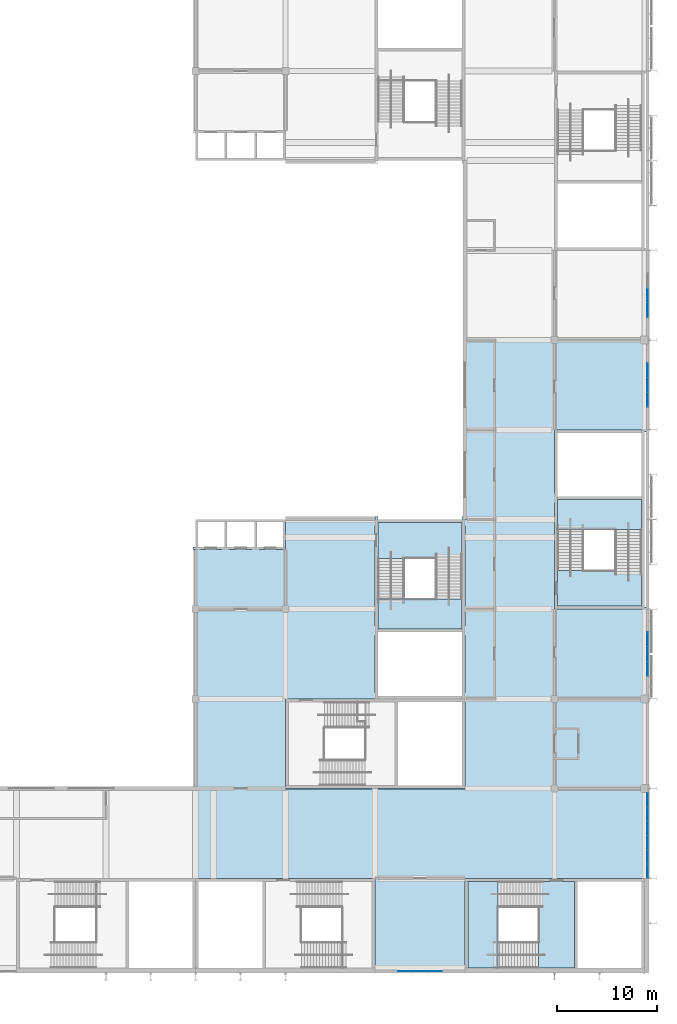
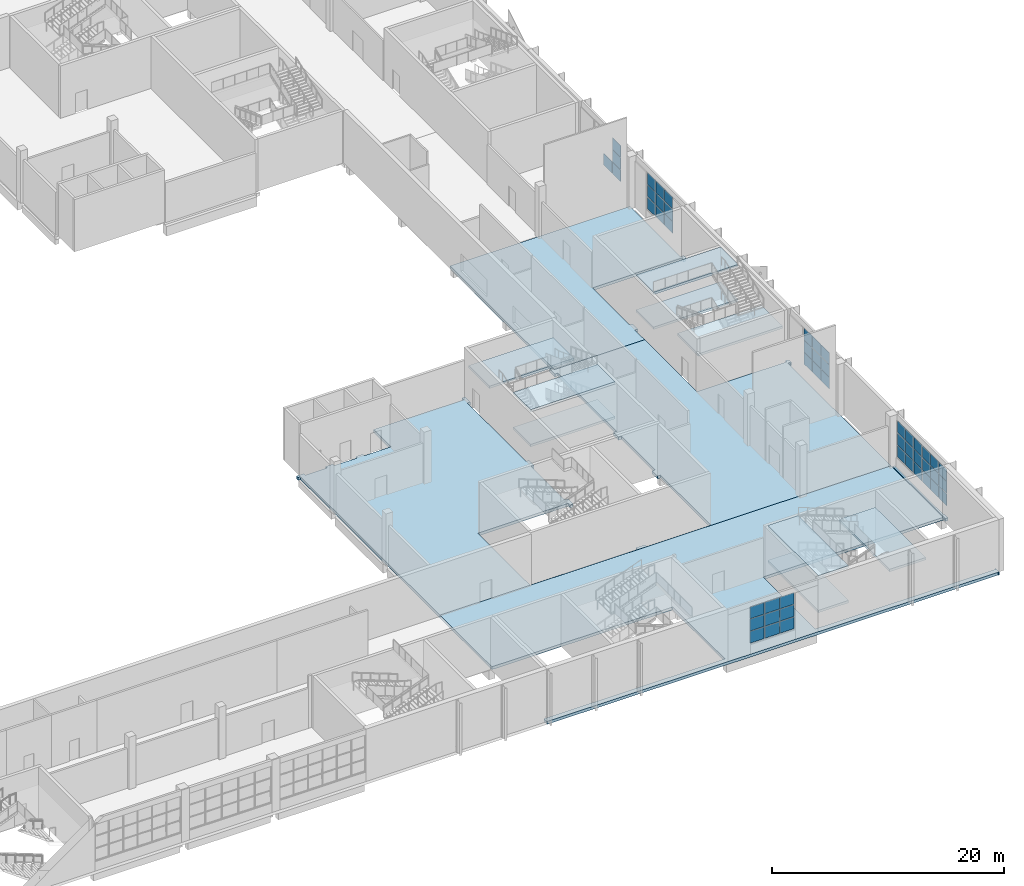
# One storey, part 30 of 84: 49 plates, 12 slabs, 8 elements without a shape of their own.
"""IFC4 building model written with IfcOpenShell, lengths in metres."""

from ifc_helpers import new_model, si_unit, direction, frame, origin, origin_2d, place, context, subcontext, project, spatial, polyline, rectangle, outline, extrude, material, layer, layer_set, type_object, element, aggregate, save


model = new_model("IFC4")

# Units and contexts
model_context = context("Model", 3, precision=1e-05, world=origin(), true_north=direction((0.0, 1.0)))
body_context = subcontext(model_context, "Body", "Model", "MODEL_VIEW")
ifc_project = project(units=[si_unit("LENGTHUNIT", "METRE"), si_unit("AREAUNIT", "SQUARE_METRE"), si_unit("VOLUMEUNIT", "CUBIC_METRE"), si_unit("PLANEANGLEUNIT", "RADIAN"), si_unit("MASSUNIT", "GRAM", prefix="KILO")], contexts=[model_context])

# Site, building, storey
site_placement = place(None, origin())
site = spatial("IfcSite", under=ifc_project, at=site_placement, CompositionType="ELEMENT")
building_placement = place(site_placement, origin())
building = spatial("IfcBuilding", under=site, at=building_placement, Name="Silverbay Arena", CompositionType="ELEMENT")
storey_placement = place(building_placement, frame((0.0, 0.0, 28.0)))
storey = spatial("IfcBuildingStorey", under=building, at=storey_placement, Name="L04", CompositionType="ELEMENT", Elevation=28.0)

# Curtain wall, plates
ifc_material_1 = material(Name="Aluminium framed curtain wall", Category="aluminium")
curtain_wall_type_1 = type_object("IfcCurtainWallType", Name="Curtain wall 4500 x 3900", PredefinedType="NOTDEFINED", material=ifc_material_1)
curtain_wall_1_placement = place(storey_placement, origin())
curtain_wall_1 = element("IfcCurtainWall", 1, at=curtain_wall_1_placement, inside=storey, type_object=curtain_wall_type_1, Name="South curtain wall L04 bay 15", PredefinedType="NOTDEFINED")
ifc_material_2 = material(Name="Laminated glass", Category="glass")
ifc_layer_1 = layer(ifc_material_2, 0.028076171875)
ifc_layer_set_1 = layer_set([ifc_layer_1], Name="Laminated glass")
plate_type = type_object("IfcPlateType", Name="Glass panel 28", PredefinedType="CURTAIN_PANEL", material=ifc_layer_set_1)
plate_1_placement = place(storey_placement, frame((183.014892578125, 17.669921875, 1.050048828125), z_axis=(0.0, 0.0, 1.0), x_axis=(1.0, 0.0, 0.0)))
plate_1 = element("IfcPlate", 2, at=plate_1_placement, type_object=plate_type, Name="CW15 panel 1.1", PredefinedType="CURTAIN_PANEL", context=body_context, shape_type="SweptSolid", body=[
    extrude(rectangle(XDim=1.409912109375, YDim=0.028076171875, at=origin_2d()), origin(), (0.0, 0.0, 1.0), 1.22509765625),
])
plate_2_placement = place(storey_placement, frame((183.014892578125, 17.669921875, 2.324951171875), z_axis=(0.0, 0.0, 1.0), x_axis=(1.0, 0.0, 0.0)))
plate_2 = element("IfcPlate", 3, at=plate_2_placement, type_object=plate_type, Name="CW15 panel 1.2", PredefinedType="CURTAIN_PANEL", context=body_context, shape_type="SweptSolid", body=[
    extrude(rectangle(XDim=1.409912109375, YDim=0.028076171875, at=origin_2d()), origin(), (0.0, 0.0, 1.0), 1.25),
])
plate_3_placement = place(storey_placement, frame((183.014892578125, 17.669921875, 3.625), z_axis=(0.0, 0.0, 1.0), x_axis=(1.0, 0.0, 0.0)))
plate_3 = element("IfcPlate", 4, at=plate_3_placement, type_object=plate_type, Name="CW15 panel 1.3", PredefinedType="CURTAIN_PANEL", context=body_context, shape_type="SweptSolid", body=[
    extrude(rectangle(XDim=1.409912109375, YDim=0.028076171875, at=origin_2d()), origin(), (0.0, 0.0, 1.0), 1.22509765625),
])
plate_4_placement = place(storey_placement, frame((184.5, 17.669921875, 1.050048828125), z_axis=(0.0, 0.0, 1.0), x_axis=(1.0, 0.0, 0.0)))
plate_4 = element("IfcPlate", 5, at=plate_4_placement, type_object=plate_type, Name="CW15 panel 2.1", PredefinedType="CURTAIN_PANEL", context=body_context, shape_type="SweptSolid", body=[
    extrude(rectangle(XDim=1.43994140625, YDim=0.028076171875, at=origin_2d()), origin(), (0.0, 0.0, 1.0), 1.22509765625),
])
plate_5_placement = place(storey_placement, frame((184.5, 17.669921875, 2.324951171875), z_axis=(0.0, 0.0, 1.0), x_axis=(1.0, 0.0, 0.0)))
plate_5 = element("IfcPlate", 6, at=plate_5_placement, type_object=plate_type, Name="CW15 panel 2.2", PredefinedType="CURTAIN_PANEL", context=body_context, shape_type="SweptSolid", body=[
    extrude(rectangle(XDim=1.43994140625, YDim=0.028076171875, at=origin_2d()), origin(), (0.0, 0.0, 1.0), 1.25),
])
plate_6_placement = place(storey_placement, frame((184.5, 17.669921875, 3.625), z_axis=(0.0, 0.0, 1.0), x_axis=(1.0, 0.0, 0.0)))
plate_6 = element("IfcPlate", 7, at=plate_6_placement, type_object=plate_type, Name="CW15 panel 2.3", PredefinedType="CURTAIN_PANEL", context=body_context, shape_type="SweptSolid", body=[
    extrude(rectangle(XDim=1.43994140625, YDim=0.028076171875, at=origin_2d()), origin(), (0.0, 0.0, 1.0), 1.22509765625),
])
plate_7_placement = place(storey_placement, frame((185.985107421875, 17.669921875, 1.050048828125), z_axis=(0.0, 0.0, 1.0), x_axis=(1.0, 0.0, 0.0)))
plate_7 = element("IfcPlate", 8, at=plate_7_placement, type_object=plate_type, Name="CW15 panel 3.1", PredefinedType="CURTAIN_PANEL", context=body_context, shape_type="SweptSolid", body=[
    extrude(rectangle(XDim=1.409912109375, YDim=0.028076171875, at=origin_2d()), origin(), (0.0, 0.0, 1.0), 1.22509765625),
])
plate_8_placement = place(storey_placement, frame((185.985107421875, 17.669921875, 2.324951171875), z_axis=(0.0, 0.0, 1.0), x_axis=(1.0, 0.0, 0.0)))
plate_8 = element("IfcPlate", 9, at=plate_8_placement, type_object=plate_type, Name="CW15 panel 3.2", PredefinedType="CURTAIN_PANEL", context=body_context, shape_type="SweptSolid", body=[
    extrude(rectangle(XDim=1.409912109375, YDim=0.028076171875, at=origin_2d()), origin(), (0.0, 0.0, 1.0), 1.25),
])
plate_9_placement = place(storey_placement, frame((185.985107421875, 17.669921875, 3.625), z_axis=(0.0, 0.0, 1.0), x_axis=(1.0, 0.0, 0.0)))
plate_9 = element("IfcPlate", 10, at=plate_9_placement, type_object=plate_type, Name="CW15 panel 3.3", PredefinedType="CURTAIN_PANEL", context=body_context, shape_type="SweptSolid", body=[
    extrude(rectangle(XDim=1.409912109375, YDim=0.028076171875, at=origin_2d()), origin(), (0.0, 0.0, 1.0), 1.22509765625),
])
aggregate(curtain_wall_1, [plate_1, plate_2, plate_3, plate_4, plate_5, plate_6, plate_7, plate_8, plate_9])

ifc_material_3 = material(Name="Aluminium framed curtain wall", Category="aluminium")
curtain_wall_type_2 = type_object("IfcCurtainWallType", Name="Curtain wall 8600 x 3900", PredefinedType="NOTDEFINED", material=ifc_material_3)
curtain_wall_2_placement = place(storey_placement, origin())
curtain_wall_2 = element("IfcCurtainWall", 11, at=curtain_wall_2_placement, inside=storey, type_object=curtain_wall_type_2, Name="East curtain wall L04 bay 2", PredefinedType="NOTDEFINED")
plate_10_placement = place(storey_placement, frame((207.330078125, 27.731689453125, 1.050048828125), z_axis=(0.0, 0.0, 1.0), x_axis=(0.0, 1.0, 0.0)))
plate_10 = element("IfcPlate", 12, at=plate_10_placement, type_object=plate_type, Name="CW1 panel 1.1", PredefinedType="CURTAIN_PANEL", context=body_context, shape_type="SweptSolid", body=[
    extrude(rectangle(XDim=1.34326171875, YDim=0.028076171875, at=origin_2d()), origin(), (0.0, 0.0, 1.0), 1.22509765625),
])
plate_11_placement = place(storey_placement, frame((207.330078125, 27.731689453125, 2.324951171875), z_axis=(0.0, 0.0, 1.0), x_axis=(0.0, 1.0, 0.0)))
plate_11 = element("IfcPlate", 13, at=plate_11_placement, type_object=plate_type, Name="CW1 panel 1.2", PredefinedType="CURTAIN_PANEL", context=body_context, shape_type="SweptSolid", body=[
    extrude(rectangle(XDim=1.34326171875, YDim=0.028076171875, at=origin_2d()), origin(), (0.0, 0.0, 1.0), 1.25),
])
plate_12_placement = place(storey_placement, frame((207.330078125, 27.731689453125, 3.625), z_axis=(0.0, 0.0, 1.0), x_axis=(0.0, 1.0, 0.0)))
plate_12 = element("IfcPlate", 14, at=plate_12_placement, type_object=plate_type, Name="CW1 panel 1.3", PredefinedType="CURTAIN_PANEL", context=body_context, shape_type="SweptSolid", body=[
    extrude(rectangle(XDim=1.34326171875, YDim=0.028076171875, at=origin_2d()), origin(), (0.0, 0.0, 1.0), 1.22509765625),
])
plate_13_placement = place(storey_placement, frame((207.330078125, 29.14990234375, 1.050048828125), z_axis=(0.0, 0.0, 1.0), x_axis=(0.0, 1.0, 0.0)))
plate_13 = element("IfcPlate", 15, at=plate_13_placement, type_object=plate_type, Name="CW1 panel 2.1", PredefinedType="CURTAIN_PANEL", context=body_context, shape_type="SweptSolid", body=[
    extrude(rectangle(XDim=1.373291015625, YDim=0.028076171875, at=origin_2d()), origin(), (0.0, 0.0, 1.0), 1.22509765625),
])
plate_14_placement = place(storey_placement, frame((207.330078125, 29.14990234375, 2.324951171875), z_axis=(0.0, 0.0, 1.0), x_axis=(0.0, 1.0, 0.0)))
plate_14 = element("IfcPlate", 16, at=plate_14_placement, type_object=plate_type, Name="CW1 panel 2.2", PredefinedType="CURTAIN_PANEL", context=body_context, shape_type="SweptSolid", body=[
    extrude(rectangle(XDim=1.373291015625, YDim=0.028076171875, at=origin_2d()), origin(), (0.0, 0.0, 1.0), 1.25),
])
plate_15_placement = place(storey_placement, frame((207.330078125, 29.14990234375, 3.625), z_axis=(0.0, 0.0, 1.0), x_axis=(0.0, 1.0, 0.0)))
plate_15 = element("IfcPlate", 17, at=plate_15_placement, type_object=plate_type, Name="CW1 panel 2.3", PredefinedType="CURTAIN_PANEL", context=body_context, shape_type="SweptSolid", body=[
    extrude(rectangle(XDim=1.373291015625, YDim=0.028076171875, at=origin_2d()), origin(), (0.0, 0.0, 1.0), 1.22509765625),
])
plate_16_placement = place(storey_placement, frame((207.330078125, 30.583251953125, 1.050048828125), z_axis=(0.0, 0.0, 1.0), x_axis=(0.0, 1.0, 0.0)))
plate_16 = element("IfcPlate", 18, at=plate_16_placement, type_object=plate_type, Name="CW1 panel 3.1", PredefinedType="CURTAIN_PANEL", context=body_context, shape_type="SweptSolid", body=[
    extrude(rectangle(XDim=1.373291015625, YDim=0.028076171875, at=origin_2d()), origin(), (0.0, 0.0, 1.0), 1.22509765625),
])
plate_17_placement = place(storey_placement, frame((207.330078125, 30.583251953125, 2.324951171875), z_axis=(0.0, 0.0, 1.0), x_axis=(0.0, 1.0, 0.0)))
plate_17 = element("IfcPlate", 19, at=plate_17_placement, type_object=plate_type, Name="CW1 panel 3.2", PredefinedType="CURTAIN_PANEL", context=body_context, shape_type="SweptSolid", body=[
    extrude(rectangle(XDim=1.373291015625, YDim=0.028076171875, at=origin_2d()), origin(), (0.0, 0.0, 1.0), 1.25),
])
plate_18_placement = place(storey_placement, frame((207.330078125, 30.583251953125, 3.625), z_axis=(0.0, 0.0, 1.0), x_axis=(0.0, 1.0, 0.0)))
plate_18 = element("IfcPlate", 20, at=plate_18_placement, type_object=plate_type, Name="CW1 panel 3.3", PredefinedType="CURTAIN_PANEL", context=body_context, shape_type="SweptSolid", body=[
    extrude(rectangle(XDim=1.373291015625, YDim=0.028076171875, at=origin_2d()), origin(), (0.0, 0.0, 1.0), 1.22509765625),
])
plate_19_placement = place(storey_placement, frame((207.330078125, 32.0166015625, 1.050048828125), z_axis=(0.0, 0.0, 1.0), x_axis=(0.0, 1.0, 0.0)))
plate_19 = element("IfcPlate", 21, at=plate_19_placement, type_object=plate_type, Name="CW1 panel 4.1", PredefinedType="CURTAIN_PANEL", context=body_context, shape_type="SweptSolid", body=[
    extrude(rectangle(XDim=1.373291015625, YDim=0.028076171875, at=origin_2d()), origin(), (0.0, 0.0, 1.0), 1.22509765625),
])
plate_20_placement = place(storey_placement, frame((207.330078125, 32.0166015625, 2.324951171875), z_axis=(0.0, 0.0, 1.0), x_axis=(0.0, 1.0, 0.0)))
plate_20 = element("IfcPlate", 22, at=plate_20_placement, type_object=plate_type, Name="CW1 panel 4.2", PredefinedType="CURTAIN_PANEL", context=body_context, shape_type="SweptSolid", body=[
    extrude(rectangle(XDim=1.373291015625, YDim=0.028076171875, at=origin_2d()), origin(), (0.0, 0.0, 1.0), 1.25),
])
plate_21_placement = place(storey_placement, frame((207.330078125, 32.0166015625, 3.625), z_axis=(0.0, 0.0, 1.0), x_axis=(0.0, 1.0, 0.0)))
plate_21 = element("IfcPlate", 23, at=plate_21_placement, type_object=plate_type, Name="CW1 panel 4.3", PredefinedType="CURTAIN_PANEL", context=body_context, shape_type="SweptSolid", body=[
    extrude(rectangle(XDim=1.373291015625, YDim=0.028076171875, at=origin_2d()), origin(), (0.0, 0.0, 1.0), 1.22509765625),
])
plate_22_placement = place(storey_placement, frame((207.330078125, 33.449951171875, 1.050048828125), z_axis=(0.0, 0.0, 1.0), x_axis=(0.0, 1.0, 0.0)))
plate_22 = element("IfcPlate", 24, at=plate_22_placement, type_object=plate_type, Name="CW1 panel 5.1", PredefinedType="CURTAIN_PANEL", context=body_context, shape_type="SweptSolid", body=[
    extrude(rectangle(XDim=1.373291015625, YDim=0.028076171875, at=origin_2d()), origin(), (0.0, 0.0, 1.0), 1.22509765625),
])
plate_23_placement = place(storey_placement, frame((207.330078125, 33.449951171875, 2.324951171875), z_axis=(0.0, 0.0, 1.0), x_axis=(0.0, 1.0, 0.0)))
plate_23 = element("IfcPlate", 25, at=plate_23_placement, type_object=plate_type, Name="CW1 panel 5.2", PredefinedType="CURTAIN_PANEL", context=body_context, shape_type="SweptSolid", body=[
    extrude(rectangle(XDim=1.373291015625, YDim=0.028076171875, at=origin_2d()), origin(), (0.0, 0.0, 1.0), 1.25),
])
plate_24_placement = place(storey_placement, frame((207.330078125, 33.449951171875, 3.625), z_axis=(0.0, 0.0, 1.0), x_axis=(0.0, 1.0, 0.0)))
plate_24 = element("IfcPlate", 26, at=plate_24_placement, type_object=plate_type, Name="CW1 panel 5.3", PredefinedType="CURTAIN_PANEL", context=body_context, shape_type="SweptSolid", body=[
    extrude(rectangle(XDim=1.373291015625, YDim=0.028076171875, at=origin_2d()), origin(), (0.0, 0.0, 1.0), 1.22509765625),
])
plate_25_placement = place(storey_placement, frame((207.330078125, 34.868408203125, 1.050048828125), z_axis=(0.0, 0.0, 1.0), x_axis=(0.0, 1.0, 0.0)))
plate_25 = element("IfcPlate", 27, at=plate_25_placement, type_object=plate_type, Name="CW1 panel 6.1", PredefinedType="CURTAIN_PANEL", context=body_context, shape_type="SweptSolid", body=[
    extrude(rectangle(XDim=1.34326171875, YDim=0.028076171875, at=origin_2d()), origin(), (0.0, 0.0, 1.0), 1.22509765625),
])
plate_26_placement = place(storey_placement, frame((207.330078125, 34.868408203125, 2.324951171875), z_axis=(0.0, 0.0, 1.0), x_axis=(0.0, 1.0, 0.0)))
plate_26 = element("IfcPlate", 28, at=plate_26_placement, type_object=plate_type, Name="CW1 panel 6.2", PredefinedType="CURTAIN_PANEL", context=body_context, shape_type="SweptSolid", body=[
    extrude(rectangle(XDim=1.34326171875, YDim=0.028076171875, at=origin_2d()), origin(), (0.0, 0.0, 1.0), 1.25),
])
plate_27_placement = place(storey_placement, frame((207.330078125, 34.868408203125, 3.625), z_axis=(0.0, 0.0, 1.0), x_axis=(0.0, 1.0, 0.0)))
plate_27 = element("IfcPlate", 29, at=plate_27_placement, type_object=plate_type, Name="CW1 panel 6.3", PredefinedType="CURTAIN_PANEL", context=body_context, shape_type="SweptSolid", body=[
    extrude(rectangle(XDim=1.34326171875, YDim=0.028076171875, at=origin_2d()), origin(), (0.0, 0.0, 1.0), 1.22509765625),
])
aggregate(curtain_wall_2, [plate_10, plate_11, plate_12, plate_13, plate_14, plate_15, plate_16, plate_17, plate_18, plate_19, plate_20, plate_21, plate_22, plate_23, plate_24, plate_25, plate_26, plate_27])

curtain_wall_3_placement = place(storey_placement, origin())
curtain_wall_3 = element("IfcCurtainWall", 30, at=curtain_wall_3_placement, inside=storey, type_object=curtain_wall_type_1, Name="East curtain wall L04 bay 4", PredefinedType="NOTDEFINED")
plate_28_placement = place(storey_placement, frame((207.330078125, 48.014892578125, 1.050048828125), z_axis=(0.0, 0.0, 1.0), x_axis=(0.0, 1.0, 0.0)))
plate_28 = element("IfcPlate", 31, at=plate_28_placement, type_object=plate_type, Name="CW15 panel 1.1", PredefinedType="CURTAIN_PANEL", context=body_context, shape_type="SweptSolid", body=[
    extrude(rectangle(XDim=1.409912109375, YDim=0.028076171875, at=origin_2d()), origin(), (0.0, 0.0, 1.0), 1.22509765625),
])
plate_29_placement = place(storey_placement, frame((207.330078125, 48.014892578125, 2.324951171875), z_axis=(0.0, 0.0, 1.0), x_axis=(0.0, 1.0, 0.0)))
plate_29 = element("IfcPlate", 32, at=plate_29_placement, type_object=plate_type, Name="CW15 panel 1.2", PredefinedType="CURTAIN_PANEL", context=body_context, shape_type="SweptSolid", body=[
    extrude(rectangle(XDim=1.409912109375, YDim=0.028076171875, at=origin_2d()), origin(), (0.0, 0.0, 1.0), 1.25),
])
plate_30_placement = place(storey_placement, frame((207.330078125, 48.014892578125, 3.625), z_axis=(0.0, 0.0, 1.0), x_axis=(0.0, 1.0, 0.0)))
plate_30 = element("IfcPlate", 33, at=plate_30_placement, type_object=plate_type, Name="CW15 panel 1.3", PredefinedType="CURTAIN_PANEL", context=body_context, shape_type="SweptSolid", body=[
    extrude(rectangle(XDim=1.409912109375, YDim=0.028076171875, at=origin_2d()), origin(), (0.0, 0.0, 1.0), 1.22509765625),
])
plate_31_placement = place(storey_placement, frame((207.330078125, 49.5, 1.050048828125), z_axis=(0.0, 0.0, 1.0), x_axis=(0.0, 1.0, 0.0)))
plate_31 = element("IfcPlate", 34, at=plate_31_placement, type_object=plate_type, Name="CW15 panel 2.1", PredefinedType="CURTAIN_PANEL", context=body_context, shape_type="SweptSolid", body=[
    extrude(rectangle(XDim=1.43994140625, YDim=0.028076171875, at=origin_2d()), origin(), (0.0, 0.0, 1.0), 1.22509765625),
])
plate_32_placement = place(storey_placement, frame((207.330078125, 49.5, 2.324951171875), z_axis=(0.0, 0.0, 1.0), x_axis=(0.0, 1.0, 0.0)))
plate_32 = element("IfcPlate", 35, at=plate_32_placement, type_object=plate_type, Name="CW15 panel 2.2", PredefinedType="CURTAIN_PANEL", context=body_context, shape_type="SweptSolid", body=[
    extrude(rectangle(XDim=1.43994140625, YDim=0.028076171875, at=origin_2d()), origin(), (0.0, 0.0, 1.0), 1.25),
])
plate_33_placement = place(storey_placement, frame((207.330078125, 49.5, 3.625), z_axis=(0.0, 0.0, 1.0), x_axis=(0.0, 1.0, 0.0)))
plate_33 = element("IfcPlate", 36, at=plate_33_placement, type_object=plate_type, Name="CW15 panel 2.3", PredefinedType="CURTAIN_PANEL", context=body_context, shape_type="SweptSolid", body=[
    extrude(rectangle(XDim=1.43994140625, YDim=0.028076171875, at=origin_2d()), origin(), (0.0, 0.0, 1.0), 1.22509765625),
])
plate_34_placement = place(storey_placement, frame((207.330078125, 50.985107421875, 1.050048828125), z_axis=(0.0, 0.0, 1.0), x_axis=(0.0, 1.0, 0.0)))
plate_34 = element("IfcPlate", 37, at=plate_34_placement, type_object=plate_type, Name="CW15 panel 3.1", PredefinedType="CURTAIN_PANEL", context=body_context, shape_type="SweptSolid", body=[
    extrude(rectangle(XDim=1.409912109375, YDim=0.028076171875, at=origin_2d()), origin(), (0.0, 0.0, 1.0), 1.22509765625),
])
plate_35_placement = place(storey_placement, frame((207.330078125, 50.985107421875, 2.324951171875), z_axis=(0.0, 0.0, 1.0), x_axis=(0.0, 1.0, 0.0)))
plate_35 = element("IfcPlate", 38, at=plate_35_placement, type_object=plate_type, Name="CW15 panel 3.2", PredefinedType="CURTAIN_PANEL", context=body_context, shape_type="SweptSolid", body=[
    extrude(rectangle(XDim=1.409912109375, YDim=0.028076171875, at=origin_2d()), origin(), (0.0, 0.0, 1.0), 1.25),
])
plate_36_placement = place(storey_placement, frame((207.330078125, 50.985107421875, 3.625), z_axis=(0.0, 0.0, 1.0), x_axis=(0.0, 1.0, 0.0)))
plate_36 = element("IfcPlate", 39, at=plate_36_placement, type_object=plate_type, Name="CW15 panel 3.3", PredefinedType="CURTAIN_PANEL", context=body_context, shape_type="SweptSolid", body=[
    extrude(rectangle(XDim=1.409912109375, YDim=0.028076171875, at=origin_2d()), origin(), (0.0, 0.0, 1.0), 1.22509765625),
])
aggregate(curtain_wall_3, [plate_28, plate_29, plate_30, plate_31, plate_32, plate_33, plate_34, plate_35, plate_36])

curtain_wall_4_placement = place(storey_placement, origin())
curtain_wall_4 = element("IfcCurtainWall", 40, at=curtain_wall_4_placement, inside=storey, type_object=curtain_wall_type_1, Name="East curtain wall L04 bay 7", PredefinedType="NOTDEFINED")
plate_37_placement = place(storey_placement, frame((207.330078125, 75.014892578125, 1.050048828125), z_axis=(0.0, 0.0, 1.0), x_axis=(0.0, 1.0, 0.0)))
plate_37 = element("IfcPlate", 41, at=plate_37_placement, type_object=plate_type, Name="CW15 panel 1.1", PredefinedType="CURTAIN_PANEL", context=body_context, shape_type="SweptSolid", body=[
    extrude(rectangle(XDim=1.409912109375, YDim=0.028076171875, at=origin_2d()), origin(), (0.0, 0.0, 1.0), 1.22509765625),
])
plate_38_placement = place(storey_placement, frame((207.330078125, 75.014892578125, 2.324951171875), z_axis=(0.0, 0.0, 1.0), x_axis=(0.0, 1.0, 0.0)))
plate_38 = element("IfcPlate", 42, at=plate_38_placement, type_object=plate_type, Name="CW15 panel 1.2", PredefinedType="CURTAIN_PANEL", context=body_context, shape_type="SweptSolid", body=[
    extrude(rectangle(XDim=1.409912109375, YDim=0.028076171875, at=origin_2d()), origin(), (0.0, 0.0, 1.0), 1.25),
])
plate_39_placement = place(storey_placement, frame((207.330078125, 75.014892578125, 3.625), z_axis=(0.0, 0.0, 1.0), x_axis=(0.0, 1.0, 0.0)))
plate_39 = element("IfcPlate", 43, at=plate_39_placement, type_object=plate_type, Name="CW15 panel 1.3", PredefinedType="CURTAIN_PANEL", context=body_context, shape_type="SweptSolid", body=[
    extrude(rectangle(XDim=1.409912109375, YDim=0.028076171875, at=origin_2d()), origin(), (0.0, 0.0, 1.0), 1.22509765625),
])
plate_40_placement = place(storey_placement, frame((207.330078125, 76.5, 1.050048828125), z_axis=(0.0, 0.0, 1.0), x_axis=(0.0, 1.0, 0.0)))
plate_40 = element("IfcPlate", 44, at=plate_40_placement, type_object=plate_type, Name="CW15 panel 2.1", PredefinedType="CURTAIN_PANEL", context=body_context, shape_type="SweptSolid", body=[
    extrude(rectangle(XDim=1.43994140625, YDim=0.028076171875, at=origin_2d()), origin(), (0.0, 0.0, 1.0), 1.22509765625),
])
plate_41_placement = place(storey_placement, frame((207.330078125, 76.5, 2.324951171875), z_axis=(0.0, 0.0, 1.0), x_axis=(0.0, 1.0, 0.0)))
plate_41 = element("IfcPlate", 45, at=plate_41_placement, type_object=plate_type, Name="CW15 panel 2.2", PredefinedType="CURTAIN_PANEL", context=body_context, shape_type="SweptSolid", body=[
    extrude(rectangle(XDim=1.43994140625, YDim=0.028076171875, at=origin_2d()), origin(), (0.0, 0.0, 1.0), 1.25),
])
plate_42_placement = place(storey_placement, frame((207.330078125, 76.5, 3.625), z_axis=(0.0, 0.0, 1.0), x_axis=(0.0, 1.0, 0.0)))
plate_42 = element("IfcPlate", 46, at=plate_42_placement, type_object=plate_type, Name="CW15 panel 2.3", PredefinedType="CURTAIN_PANEL", context=body_context, shape_type="SweptSolid", body=[
    extrude(rectangle(XDim=1.43994140625, YDim=0.028076171875, at=origin_2d()), origin(), (0.0, 0.0, 1.0), 1.22509765625),
])
plate_43_placement = place(storey_placement, frame((207.330078125, 77.985107421875, 1.050048828125), z_axis=(0.0, 0.0, 1.0), x_axis=(0.0, 1.0, 0.0)))
plate_43 = element("IfcPlate", 47, at=plate_43_placement, type_object=plate_type, Name="CW15 panel 3.1", PredefinedType="CURTAIN_PANEL", context=body_context, shape_type="SweptSolid", body=[
    extrude(rectangle(XDim=1.409912109375, YDim=0.028076171875, at=origin_2d()), origin(), (0.0, 0.0, 1.0), 1.22509765625),
])
plate_44_placement = place(storey_placement, frame((207.330078125, 77.985107421875, 2.324951171875), z_axis=(0.0, 0.0, 1.0), x_axis=(0.0, 1.0, 0.0)))
plate_44 = element("IfcPlate", 48, at=plate_44_placement, type_object=plate_type, Name="CW15 panel 3.2", PredefinedType="CURTAIN_PANEL", context=body_context, shape_type="SweptSolid", body=[
    extrude(rectangle(XDim=1.409912109375, YDim=0.028076171875, at=origin_2d()), origin(), (0.0, 0.0, 1.0), 1.25),
])
plate_45_placement = place(storey_placement, frame((207.330078125, 77.985107421875, 3.625), z_axis=(0.0, 0.0, 1.0), x_axis=(0.0, 1.0, 0.0)))
plate_45 = element("IfcPlate", 49, at=plate_45_placement, type_object=plate_type, Name="CW15 panel 3.3", PredefinedType="CURTAIN_PANEL", context=body_context, shape_type="SweptSolid", body=[
    extrude(rectangle(XDim=1.409912109375, YDim=0.028076171875, at=origin_2d()), origin(), (0.0, 0.0, 1.0), 1.22509765625),
])
aggregate(curtain_wall_4, [plate_37, plate_38, plate_39, plate_40, plate_41, plate_42, plate_43, plate_44, plate_45])

curtain_wall_5_placement = place(storey_placement, origin())
curtain_wall_5 = element("IfcCurtainWall", 50, at=curtain_wall_5_placement, inside=storey, type_object=curtain_wall_type_1, Name="East curtain wall L04 bay 8", PredefinedType="NOTDEFINED")
plate_46_placement = place(storey_placement, frame((207.330078125, 84.014892578125, 1.050048828125), z_axis=(0.0, 0.0, 1.0), x_axis=(0.0, 1.0, 0.0)))
plate_46 = element("IfcPlate", 51, at=plate_46_placement, type_object=plate_type, Name="CW15 panel 1.1", PredefinedType="CURTAIN_PANEL", context=body_context, shape_type="SweptSolid", body=[
    extrude(rectangle(XDim=1.409912109375, YDim=0.028076171875, at=origin_2d()), origin(), (0.0, 0.0, 1.0), 1.22509765625),
])
plate_47_placement = place(storey_placement, frame((207.330078125, 84.014892578125, 2.324951171875), z_axis=(0.0, 0.0, 1.0), x_axis=(0.0, 1.0, 0.0)))
plate_47 = element("IfcPlate", 52, at=plate_47_placement, type_object=plate_type, Name="CW15 panel 1.2", PredefinedType="CURTAIN_PANEL", context=body_context, shape_type="SweptSolid", body=[
    extrude(rectangle(XDim=1.409912109375, YDim=0.028076171875, at=origin_2d()), origin(), (0.0, 0.0, 1.0), 1.25),
])
plate_48_placement = place(storey_placement, frame((207.330078125, 84.014892578125, 3.625), z_axis=(0.0, 0.0, 1.0), x_axis=(0.0, 1.0, 0.0)))
plate_48 = element("IfcPlate", 53, at=plate_48_placement, type_object=plate_type, Name="CW15 panel 1.3", PredefinedType="CURTAIN_PANEL", context=body_context, shape_type="SweptSolid", body=[
    extrude(rectangle(XDim=1.409912109375, YDim=0.028076171875, at=origin_2d()), origin(), (0.0, 0.0, 1.0), 1.22509765625),
])
plate_49_placement = place(storey_placement, frame((207.330078125, 85.5, 1.050048828125), z_axis=(0.0, 0.0, 1.0), x_axis=(0.0, 1.0, 0.0)))
plate_49 = element("IfcPlate", 54, at=plate_49_placement, type_object=plate_type, Name="CW15 panel 2.1", PredefinedType="CURTAIN_PANEL", context=body_context, shape_type="SweptSolid", body=[
    extrude(rectangle(XDim=1.43994140625, YDim=0.028076171875, at=origin_2d()), origin(), (0.0, 0.0, 1.0), 1.22509765625),
])
aggregate(curtain_wall_5, [plate_46, plate_47, plate_48, plate_49])

# Slabs
ifc_material_4 = material(Name="Concrete Grade C45", Category="concrete")
ifc_layer_2 = layer(ifc_material_4, 0.300048828125)
ifc_layer_set_2 = layer_set([ifc_layer_2], Name="Concrete Grade C45")
slab_type_1 = type_object("IfcSlabType", Name="RC floor slab 300", PredefinedType="FLOOR", material=ifc_layer_set_2)
slab_1_placement = place(storey_placement, frame((0.0, 0.0, -0.300048828125)))
element("IfcSlab", 55, at=slab_1_placement, inside=storey, type_object=slab_type_1, Name="Floor slab L04 unit 3", PredefinedType="FLOOR", context=body_context, shape_type="SweptSolid", body=[
    extrude(outline(polyline([(207.0, 17.425048828125), (206.925048828125, 17.425048828125), (206.925048828125, 17.5), (162.0, 17.5), (162.0, 18.0), (180.0, 18.0), (180.0, 27.0), (162.0, 27.0), (162.0, 35.97509765625), (206.925048828125, 35.97509765625), (206.925048828125, 27.074951171875), (207.0, 27.074951171875), (207.0, 35.85009765625), (207.175048828125, 35.85009765625), (207.175048828125, 27.324951171875), (207.25, 27.324951171875), (207.25, 27.0), (207.2451171875, 26.75), (207.0, 26.75), (207.0, 26.925048828125), (206.925048828125, 26.925048828125), (206.925048828125, 27.0), (189.0, 27.0), (189.0, 18.0), (206.925048828125, 18.0), (206.925048828125, 18.074951171875), (207.0, 18.074951171875), (207.0, 17.425048828125)])), origin(), (0.0, 0.0, 1.0), 0.300048828125),
])
slab_2_placement = place(storey_placement, frame((0.0, 0.0, -0.300048828125)))
element("IfcSlab", 56, at=slab_2_placement, inside=storey, type_object=slab_type_1, Name="Floor slab L04 unit 5", PredefinedType="FLOOR", context=body_context, shape_type="SweptSolid", body=[
    extrude(outline(polyline([(162.0, 60.0), (161.75, 60.0), (161.75, 60.25), (162.5, 60.25), (162.5, 60.0), (164.64990234375, 60.0), (164.64990234375, 60.25), (165.35009765625, 60.25), (165.35009765625, 60.0), (167.64990234375, 60.0), (167.64990234375, 60.25), (168.35009765625, 60.25), (168.35009765625, 60.0), (171.0, 60.0), (171.0, 63.0), (180.0, 63.0), (180.0, 63.300048828125), (180.300048828125, 63.300048828125), (180.300048828125, 62.39990234375), (180.0, 62.39990234375), (180.0, 52.300048828125), (180.300048828125, 52.300048828125), (180.300048828125, 51.39990234375), (180.0, 51.39990234375), (180.0, 45.60009765625), (180.300048828125, 45.60009765625), (180.300048828125, 44.699951171875), (180.0, 44.699951171875), (180.0, 45.0), (171.0, 45.0), (171.0, 36.0), (181.699951171875, 36.0), (181.699951171875, 36.300048828125), (182.60009765625, 36.300048828125), (182.60009765625, 36.0), (189.0, 36.0), (189.0, 44.699951171875), (188.699951171875, 44.699951171875), (188.699951171875, 45.60009765625), (189.0, 45.60009765625), (189.0, 51.39990234375), (188.699951171875, 51.39990234375), (188.699951171875, 52.300048828125), (189.0, 52.300048828125), (189.0, 62.39990234375), (188.699951171875, 62.39990234375), (188.699951171875, 63.300048828125), (189.0, 63.300048828125), (189.0, 63.0), (198.0, 63.0), (198.0, 54.0), (206.925048828125, 54.0), (206.925048828125, 54.22509765625), (207.14990234375, 54.22509765625), (207.14990234375, 54.10009765625), (207.25, 54.10009765625), (207.25, 53.675048828125), (207.14990234375, 53.675048828125), (207.14990234375, 53.77490234375), (206.925048828125, 53.77490234375), (206.925048828125, 35.97509765625), (162.0, 35.97509765625), (162.0, 60.0)])), origin(), (0.0, 0.0, 1.0), 0.300048828125),
])
slab_3_placement = place(storey_placement, frame((0.0, 0.0, -0.300048828125)))
element("IfcSlab", 57, at=slab_3_placement, inside=storey, type_object=slab_type_1, Name="Floor slab L04 unit 7", PredefinedType="FLOOR", context=body_context, shape_type="SweptSolid", body=[
    extrude(outline(polyline([(206.925048828125, 72.22509765625), (207.14990234375, 72.22509765625), (207.14990234375, 72.324951171875), (207.25, 72.324951171875), (207.25, 71.89990234375), (207.14990234375, 71.89990234375), (207.14990234375, 71.77490234375), (206.925048828125, 71.77490234375), (206.925048828125, 72.0), (198.0, 72.0), (198.0, 65.60009765625), (198.300048828125, 65.60009765625), (198.300048828125, 64.699951171875), (198.0, 64.699951171875), (198.0, 63.0), (189.0, 63.0), (189.0, 81.0), (206.925048828125, 81.0), (206.925048828125, 72.22509765625)])), origin(), (0.0, 0.0, 1.0), 0.300048828125),
])

# Stair, slabs
ifc_material_5 = material(Name="Concrete Grade C45", Category="concrete")
stair_type = type_object("IfcStairType", Name="Stair 2600 wide 48 risers 114.6 x 300", PredefinedType="HALF_TURN_STAIR", material=ifc_material_5)
stair_1_placement = place(storey_placement, origin())
stair_1 = element("IfcStair", 58, at=stair_1_placement, inside=storey, type_object=stair_type, Name="Stair ST-S6 L04 to L05", PredefinedType="HALF_TURN_STAIR")
ifc_material_6 = material(Name="Concrete Grade C45", Category="concrete")
ifc_layer_3 = layer(ifc_material_6, 0.25)
ifc_layer_set_3 = layer_set([ifc_layer_3], Name="Concrete Grade C45")
slab_type_2 = type_object("IfcSlabType", Name="Stair landing RC 250", PredefinedType="LANDING", material=ifc_layer_set_3)
slab_4_placement = place(storey_placement, frame((0.0, 0.0, 1.583251953125)))
slab_4 = element("IfcSlab", 59, at=slab_4_placement, type_object=slab_type_2, Name="Stair ST-S6 L04 to L05 landing 1", PredefinedType="LANDING", context=body_context, shape_type="SweptSolid", body=[
    extrude(outline(polyline([(192.3203125, 26.699951171875), (189.300048828125, 26.699951171875), (189.300048828125, 18.0), (192.3203125, 18.0), (192.3203125, 26.699951171875)])), origin(), (0.0, 0.0, 1.0), 0.25),
])
slab_5_placement = place(storey_placement, frame((0.0, 0.0, 3.416748046875)))
slab_5 = element("IfcSlab", 60, at=slab_5_placement, type_object=slab_type_2, Name="Stair ST-S6 L04 to L05 landing 2", PredefinedType="LANDING", context=body_context, shape_type="SweptSolid", body=[
    extrude(outline(polyline([(200.0, 26.699951171875), (196.39990234375, 26.699951171875), (196.39990234375, 18.0), (200.0, 18.0), (200.0, 26.699951171875)])), origin(), (0.0, 0.0, 1.0), 0.25),
])
slab_6_placement = place(storey_placement, frame((0.0, 0.0, 5.25)))
slab_6 = element("IfcSlab", 61, at=slab_6_placement, type_object=slab_type_2, Name="Stair ST-S6 L04 to L05 landing 3", PredefinedType="LANDING", context=body_context, shape_type="SweptSolid", body=[
    extrude(outline(polyline([(192.3203125, 26.699951171875), (189.300048828125, 26.699951171875), (189.300048828125, 18.0), (192.3203125, 18.0), (192.3203125, 26.699951171875)])), origin(), (0.0, 0.0, 1.0), 0.25),
])
aggregate(stair_1, [slab_4, slab_5, slab_6])

stair_2_placement = place(storey_placement, origin())
stair_2 = element("IfcStair", 62, at=stair_2_placement, inside=storey, type_object=stair_type, Name="Stair ST-E1 L04 to L05", PredefinedType="HALF_TURN_STAIR")
slab_7_placement = place(storey_placement, frame((0.0, 0.0, 1.583251953125)))
slab_7 = element("IfcSlab", 63, at=slab_7_placement, type_object=slab_type_2, Name="Stair ST-E1 L04 to L05 landing 1", PredefinedType="LANDING", context=body_context, shape_type="SweptSolid", body=[
    extrude(outline(polyline([(198.300048828125, 61.9794921875), (198.300048828125, 65.0), (206.699951171875, 65.0), (206.699951171875, 61.9794921875), (198.300048828125, 61.9794921875)])), origin(), (0.0, 0.0, 1.0), 0.25),
])
slab_8_placement = place(storey_placement, frame((0.0, 0.0, 3.416748046875)))
slab_8 = element("IfcSlab", 64, at=slab_8_placement, type_object=slab_type_2, Name="Stair ST-E1 L04 to L05 landing 2", PredefinedType="LANDING", context=body_context, shape_type="SweptSolid", body=[
    extrude(outline(polyline([(198.300048828125, 54.300048828125), (198.300048828125, 57.89990234375), (206.699951171875, 57.89990234375), (206.699951171875, 54.300048828125), (198.300048828125, 54.300048828125)])), origin(), (0.0, 0.0, 1.0), 0.25),
])
slab_9_placement = place(storey_placement, frame((0.0, 0.0, 5.25)))
slab_9 = element("IfcSlab", 65, at=slab_9_placement, type_object=slab_type_2, Name="Stair ST-E1 L04 to L05 landing 3", PredefinedType="LANDING", context=body_context, shape_type="SweptSolid", body=[
    extrude(outline(polyline([(198.300048828125, 61.9794921875), (198.300048828125, 65.0), (206.699951171875, 65.0), (206.699951171875, 61.9794921875), (198.300048828125, 61.9794921875)])), origin(), (0.0, 0.0, 1.0), 0.25),
])
aggregate(stair_2, [slab_7, slab_8, slab_9])

stair_3_placement = place(storey_placement, origin())
stair_3 = element("IfcStair", 66, at=stair_3_placement, inside=storey, type_object=stair_type, Name="Stair ST-SE2 L04 to L05", PredefinedType="HALF_TURN_STAIR")
slab_10_placement = place(storey_placement, frame((0.0, 0.0, 1.583251953125)))
slab_10 = element("IfcSlab", 67, at=slab_10_placement, type_object=slab_type_2, Name="Stair ST-SE2 L04 to L05 landing 1", PredefinedType="LANDING", context=body_context, shape_type="SweptSolid", body=[
    extrude(outline(polyline([(180.300048828125, 55.0205078125), (180.300048828125, 52.0), (188.699951171875, 52.0), (188.699951171875, 55.0205078125), (180.300048828125, 55.0205078125)])), origin(), (0.0, 0.0, 1.0), 0.25),
])
slab_11_placement = place(storey_placement, frame((0.0, 0.0, 3.416748046875)))
slab_11 = element("IfcSlab", 68, at=slab_11_placement, type_object=slab_type_2, Name="Stair ST-SE2 L04 to L05 landing 2", PredefinedType="LANDING", context=body_context, shape_type="SweptSolid", body=[
    extrude(outline(polyline([(180.300048828125, 62.699951171875), (180.300048828125, 59.10009765625), (188.699951171875, 59.10009765625), (188.699951171875, 62.699951171875), (180.300048828125, 62.699951171875)])), origin(), (0.0, 0.0, 1.0), 0.25),
])
slab_12_placement = place(storey_placement, frame((0.0, 0.0, 5.25)))
slab_12 = element("IfcSlab", 69, at=slab_12_placement, type_object=slab_type_2, Name="Stair ST-SE2 L04 to L05 landing 3", PredefinedType="LANDING", context=body_context, shape_type="SweptSolid", body=[
    extrude(outline(polyline([(180.300048828125, 55.0205078125), (180.300048828125, 52.0), (188.699951171875, 52.0), (188.699951171875, 55.0205078125), (180.300048828125, 55.0205078125)])), origin(), (0.0, 0.0, 1.0), 0.25),
])
aggregate(stair_3, [slab_10, slab_11, slab_12])

save(model, "model.ifc")
